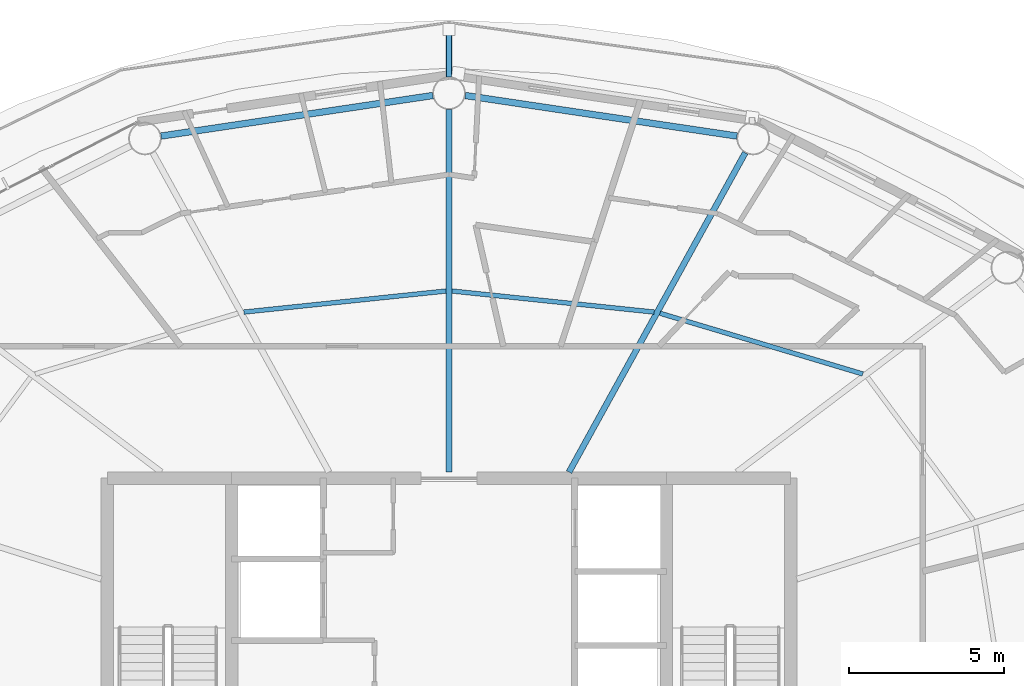
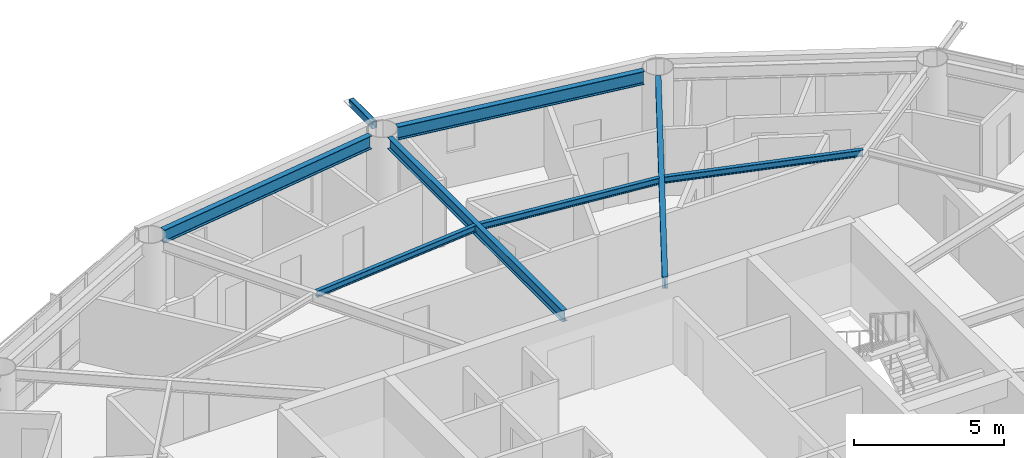
# One storey, part 10 of 23: 7 beams, 1 member.
"""IFC4 building model written with IfcOpenShell, lengths in metres."""

from ifc_helpers import new_model, si_unit, direction, frame, origin, origin_2d, place, context, subcontext, project, spatial, hollow_rectangle, i_section, extrude, material, material_profile, profile_set, type_object, element, save


model = new_model("IFC4")

# Units and contexts
model_context = context("Model", 3, precision=1e-05, world=origin(), true_north=direction((0.0, 1.0)))
body_context = subcontext(model_context, "Body", "Model", "MODEL_VIEW")
ifc_project = project(units=[si_unit("LENGTHUNIT", "METRE"), si_unit("AREAUNIT", "SQUARE_METRE"), si_unit("VOLUMEUNIT", "CUBIC_METRE"), si_unit("PLANEANGLEUNIT", "RADIAN"), si_unit("MASSUNIT", "GRAM", prefix="KILO")], contexts=[model_context])

# Site, building, storey
site_placement = place(None, origin())
site = spatial("IfcSite", under=ifc_project, at=site_placement, CompositionType="ELEMENT")
building_placement = place(site_placement, origin())
building = spatial("IfcBuilding", under=site, at=building_placement, Name="Sarneth Arch Tower", CompositionType="ELEMENT")
storey_placement = place(building_placement, frame((0.0, 0.0, 238.800048828125)))
storey = spatial("IfcBuildingStorey", under=building, at=storey_placement, Name="L61", CompositionType="ELEMENT", Elevation=238.800048828125)

# Beams
ifc_material_1 = material(Name="Steel S355", Category="steel")
ifc_material_profile_1 = material_profile(ifc_material_1, i_section(OverallWidth=0.14794921875, OverallDepth=0.26611328125, WebThickness=0.007568359375, FlangeThickness=0.012939453125, FilletRadius=0.012939453125, at=origin_2d()), Name="W250x44.8")
ifc_profile_set_1 = profile_set([ifc_material_profile_1], Name="Steel S355")
beam_type_1 = type_object("IfcBeamType", Name="BM-JOIST-250", PredefinedType="JOIST", material=ifc_profile_set_1)
beam_1_placement = place(storey_placement, frame((61.320068359375, 52.157470703125, 3.22705078125), z_axis=(-0.957984908347, 0.286818610589, 0.0), x_axis=(-0.286818610589, -0.957984908347, 0.0)))
element("IfcBeam", 1, at=beam_1_placement, inside=storey, type_object=beam_type_1, Name="L61 Secondary floor joist 03", PredefinedType="JOIST", context=body_context, shape_type="SweptSolid", body=[
    extrude(i_section(OverallWidth=0.14794921875, OverallDepth=0.26611328125, WebThickness=0.007568359375, FlangeThickness=0.012939453125, FilletRadius=0.012939453125, at=origin_2d()), origin(), (0.0, 0.0, 1.0), 6.81396484375),
])
for number, where, z_axis, x_axis, name in (
    (2, (54.60498046875, 54.1494140625, 3.22705078125), (-0.994616086198, 0.103628379682, 0.0), (-0.103628379682, -0.994616086198, 0.0), "L61 Secondary floor joist 04"),
    (3, (47.904541015625, 54.82763671875, 3.22705078125), (-0.994616086198, -0.103628379682, 0.0), (0.103628379682, -0.994616086198, 0.0), "L61 Secondary floor joist 05"),
):
    element("IfcBeam", number, at=place(storey_placement, frame(where, z_axis=z_axis, x_axis=x_axis)), inside=storey, type_object=beam_type_1, Name=name, PredefinedType="JOIST", context=body_context, shape_type="SweptSolid", body=[
        extrude(i_section(OverallWidth=0.14794921875, OverallDepth=0.26611328125, WebThickness=0.007568359375, FlangeThickness=0.012939453125, FilletRadius=0.012939453125, at=origin_2d()), origin(), (0.0, 0.0, 1.0), 6.544677734375),
    ])
ifc_material_2 = material(Name="Steel S355", Category="steel")
ifc_material_profile_2 = material_profile(ifc_material_2, i_section(OverallWidth=0.19189453125, OverallDepth=0.462890625, WebThickness=0.010498046875, FlangeThickness=0.017578125, FilletRadius=0.01806640625, at=origin_2d()), Name="W460x89")
ifc_profile_set_2 = profile_set([ifc_material_profile_2], Name="Steel S355")
beam_type_2 = type_object("IfcBeamType", Name="BM-RAD-460B", PredefinedType="BEAM", material=ifc_profile_set_2)
beam_2_placement = place(storey_placement, frame((51.86376953125, 49.0, 3.12841796875), z_axis=(0.483225760768, 0.875495781903, 0.0), x_axis=(-0.875495781903, 0.483225760768, 0.0)))
element("IfcBeam", 4, at=beam_2_placement, inside=storey, type_object=beam_type_2, Name="L61 Radial floor girder 04", PredefinedType="BEAM", context=body_context, shape_type="SweptSolid", body=[
    extrude(i_section(OverallWidth=0.19189453125, OverallDepth=0.462890625, WebThickness=0.010498046875, FlangeThickness=0.017578125, FilletRadius=0.01806640625, at=origin_2d()), origin(), (0.0, 0.0, 1.0), 11.740478515625),
])
beam_3_placement = place(storey_placement, frame((48.0, 49.0, 3.12841796875), z_axis=(0.0, 1.0, 0.0), x_axis=(-1.0, 0.0, 0.0)))
element("IfcBeam", 5, at=beam_3_placement, inside=storey, type_object=beam_type_2, Name="L61 Radial floor girder 05", PredefinedType="BEAM", context=body_context, shape_type="SweptSolid", body=[
    extrude(i_section(OverallWidth=0.19189453125, OverallDepth=0.462890625, WebThickness=0.010498046875, FlangeThickness=0.017578125, FilletRadius=0.01806640625, at=origin_2d()), origin(), (0.0, 0.0, 1.0), 11.675048828125),
])
ifc_material_3 = material(Name="Steel S355", Category="steel")
ifc_material_profile_3 = material_profile(ifc_material_3, i_section(OverallWidth=0.2109375, OverallDepth=0.5390625, WebThickness=0.01171875, FlangeThickness=0.018798828125, FilletRadius=0.01806640625, at=origin_2d()), Name="W530x109")
ifc_profile_set_3 = profile_set([ifc_material_profile_3], Name="Steel S355")
beam_type_3 = type_object("IfcBeamType", Name="BM-RAD-530B", PredefinedType="BEAM", material=ifc_profile_set_3)
for number, where, z_axis, x_axis, name in (
    (6, (57.271484375, 59.81591796875, 3.09033203125), (-0.989038715098, 0.147656425652, 0.0), (-0.147656425652, -0.989038715098, 0.0), "L61 Perimeter spandrel beam 04"),
    (7, (47.480712890625, 61.12255859375, 3.09033203125), (-0.989038715098, -0.147656425652, 0.0), (0.147656425652, -0.989038715098, 0.0), "L61 Perimeter spandrel beam 05"),
):
    element("IfcBeam", number, at=place(storey_placement, frame(where, z_axis=z_axis, x_axis=x_axis)), inside=storey, type_object=beam_type_3, Name=name, PredefinedType="BEAM", context=body_context, shape_type="SweptSolid", body=[
        extrude(i_section(OverallWidth=0.2109375, OverallDepth=0.5390625, WebThickness=0.01171875, FlangeThickness=0.018798828125, FilletRadius=0.01806640625, at=origin_2d()), origin(), (0.0, 0.0, 1.0), 8.84912109375),
    ])

# Member
ifc_material_4 = material(Name="Steel S355", Category="steel")
ifc_material_profile_4 = material_profile(ifc_material_4, hollow_rectangle(XDim=0.199951171875, YDim=0.300048828125, WallThickness=0.012451171875, InnerFilletRadius=0.018798828125, OuterFilletRadius=0.03125, at=origin_2d()), Name="RHS300x200x12.5")
ifc_profile_set_4 = profile_set([ifc_material_profile_4], Name="Steel S355")
member_type = type_object("IfcMemberType", Name="MEM-CANT-STRUT", PredefinedType="STRUT", material=ifc_profile_set_4)
member_placement = place(storey_placement, frame((48.0, 61.72509765625, 3.199951171875), z_axis=(0.0, 1.0, 0.0), x_axis=(-1.0, 0.0, 0.0)))
element("IfcMember", 8, at=member_placement, inside=storey, type_object=member_type, Name="L61 Balcony cantilever bracket 05", PredefinedType="STRUT", context=body_context, shape_type="SweptSolid", body=[
    extrude(hollow_rectangle(XDim=0.199951171875, YDim=0.300048828125, WallThickness=0.012451171875, InnerFilletRadius=0.018798828125, OuterFilletRadius=0.03125, at=origin_2d()), origin(), (0.0, 0.0, 1.0), 1.5263671875),
])

save(model, "model.ifc")
